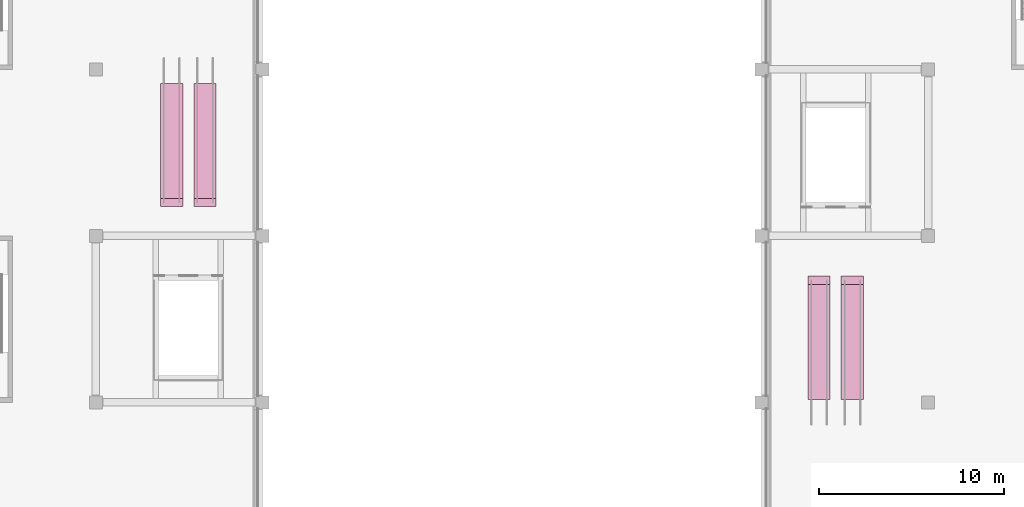
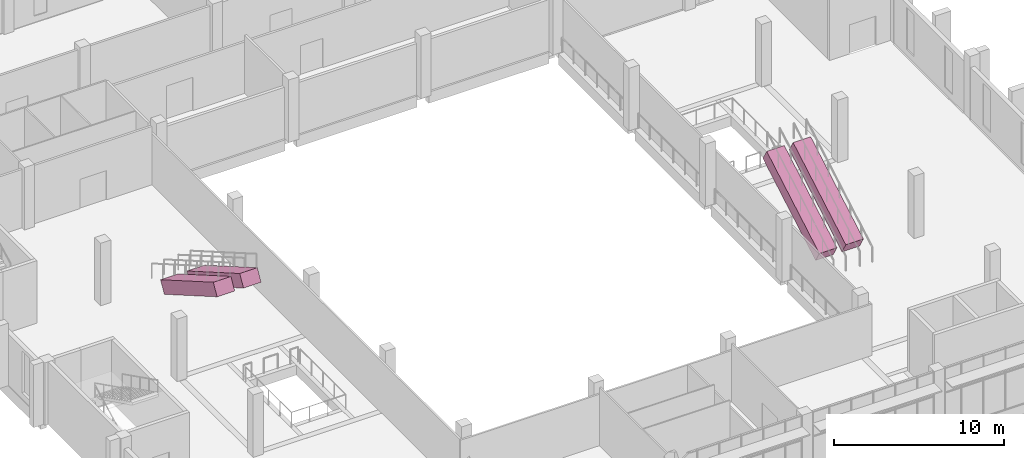
# One storey, part 45 of 45: 4 transport elements.
"""IFC4 building model written with IfcOpenShell, lengths in metres."""

from ifc_helpers import new_model, si_unit, direction, frame, origin, origin_2d, place, context, subcontext, project, spatial, rectangle, extrude, material, material_profile, profile_set, type_object, element, save


model = new_model("IFC4")

# Units and contexts
model_context = context("Model", 3, precision=1e-05, world=origin(), true_north=direction((0.0, 1.0)))
body_context = subcontext(model_context, "Body", "Model", "MODEL_VIEW")
ifc_project = project(units=[si_unit("LENGTHUNIT", "METRE"), si_unit("AREAUNIT", "SQUARE_METRE"), si_unit("VOLUMEUNIT", "CUBIC_METRE"), si_unit("PLANEANGLEUNIT", "RADIAN"), si_unit("MASSUNIT", "GRAM", prefix="KILO")], contexts=[model_context])

# Site, building, storey
site_placement = place(None, origin())
site = spatial("IfcSite", under=ifc_project, at=site_placement, CompositionType="ELEMENT")
building_placement = place(site_placement, origin())
building = spatial("IfcBuilding", under=site, at=building_placement, Name="Guidao Yard Department Store", CompositionType="ELEMENT")
storey_placement = place(building_placement, frame((0.0, 0.0, 19.5)))
storey = spatial("IfcBuildingStorey", under=building, at=storey_placement, Name="L04", CompositionType="ELEMENT", Elevation=19.5)

# Transport elements
ifc_material = material(Name="Steel Q235", Category="steel")
ifc_material_profile = material_profile(ifc_material, rectangle(XDim=1.199951171875, YDim=0.89990234375, at=origin_2d()), Name="Escalator 800 step 30 degrees")
ifc_profile_set = profile_set([ifc_material_profile], Name="Steel Q235")
transport_element_type = type_object("IfcTransportElementType", Name="Escalator 800 step 30 degrees", PredefinedType="ESCALATOR", material=ifc_profile_set)
for number, where, z_axis, x_axis, name in (
    (1, (13.10009765625, 80.02490234375, 0.3896484375), (0.0, -0.866008376869, 0.500029490323), (1.0, 0.0, 0.0), "Escalator EH10 up"),
    (2, (14.89990234375, 80.02490234375, 0.3896484375), (0.0, -0.866008376869, 0.500029490323), (1.0, 0.0, 0.0), "Escalator EH10 down"),
    (3, (48.10009765625, 63.375, 0.3896484375), (0.0, 0.866008376869, 0.500029490323), (-1.0, 0.0, 0.0), "Escalator EH9 up"),
    (4, (49.89990234375, 63.375, 0.3896484375), (0.0, 0.866008376869, 0.500029490323), (-1.0, 0.0, 0.0), "Escalator EH9 down"),
):
    element("IfcTransportElement", number, at=place(storey_placement, frame(where, z_axis=z_axis, x_axis=x_axis)), inside=storey, type_object=transport_element_type, Name=name, PredefinedType="ESCALATOR", context=body_context, shape_type="SweptSolid", body=[
        extrude(rectangle(XDim=1.199951171875, YDim=0.89990234375, at=origin_2d()), origin(), (0.0, 0.0, 1.0), 7.18115234375),
    ])

save(model, "model.ifc")
